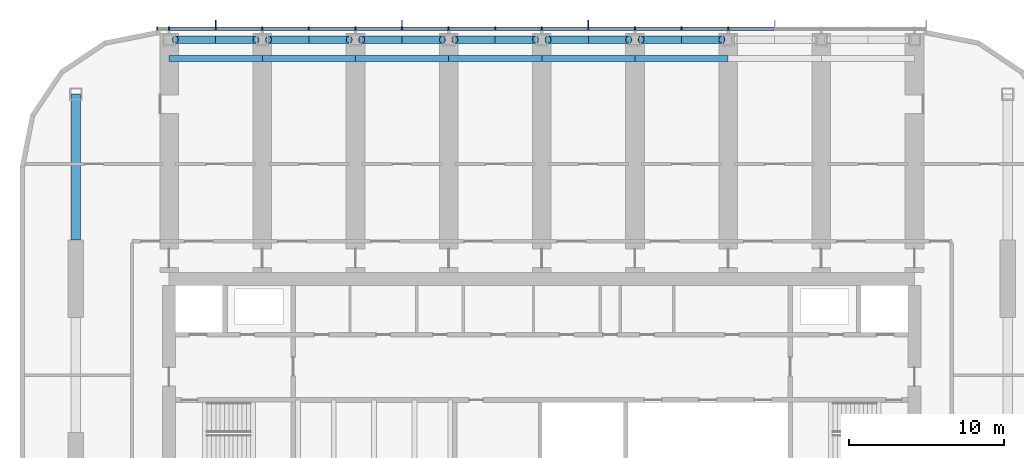
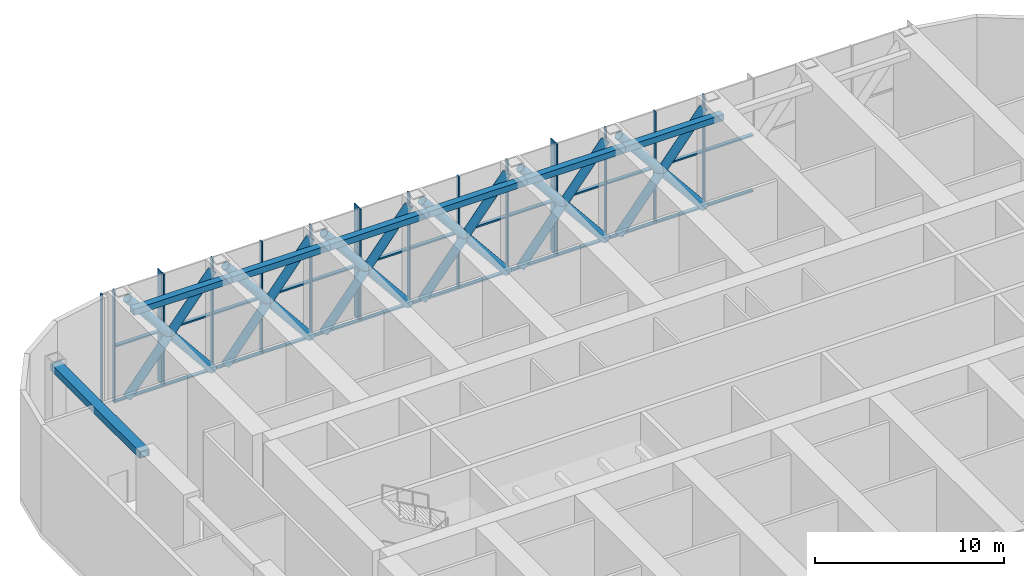
# One storey, part 4 of 22: 55 members, 7 beams, 1 element without a shape of its own.
"""IFC4 building model written with IfcOpenShell, lengths in metres."""

from ifc_helpers import new_model, si_unit, direction, frame, origin, origin_2d, place, context, subcontext, project, spatial, rectangle, hollow_rectangle, hollow_circle, extrude, material, material_profile, profile_set, type_object, element, aggregate, save


model = new_model("IFC4")

# Units and contexts
model_context = context("Model", 3, precision=1e-05, world=origin(), true_north=direction((0.0, 1.0)))
body_context = subcontext(model_context, "Body", "Model", "MODEL_VIEW")
ifc_project = project(units=[si_unit("LENGTHUNIT", "METRE"), si_unit("AREAUNIT", "SQUARE_METRE"), si_unit("VOLUMEUNIT", "CUBIC_METRE"), si_unit("PLANEANGLEUNIT", "RADIAN"), si_unit("MASSUNIT", "GRAM", prefix="KILO")], contexts=[model_context])

# Site, building, storey
site_placement = place(None, origin())
site = spatial("IfcSite", under=ifc_project, at=site_placement, CompositionType="ELEMENT")
building_placement = place(site_placement, origin())
building = spatial("IfcBuilding", under=site, at=building_placement, Name="Orbita Commons", CompositionType="ELEMENT")
storey_placement = place(building_placement, frame((0.0, 0.0, 201.10009765625)))
storey = spatial("IfcBuildingStorey", under=building, at=storey_placement, Name="L50", CompositionType="ELEMENT", Elevation=201.10009765625)

# Members
ifc_material_1 = material(Name="Steel ASTM A992", Category="steel")
ifc_material_profile_1 = material_profile(ifc_material_1, hollow_circle(Radius=0.25390625, WallThickness=0.02001953125, at=origin_2d()), Name="CHS 508x20")
ifc_profile_set_1 = profile_set([ifc_material_profile_1], Name="Steel ASTM A992")
member_type_1 = type_object("IfcMemberType", Name="Belt truss diagonal CHS 508x20", PredefinedType="BRACE", material=ifc_profile_set_1)
for number, where, z_axis, x_axis, name in (
    (1, (18.39990234375, 53.60009765625, 0.25), (0.630612687458, 0.0, 0.776097699015), (0.0, 1.0, 0.0), "Belt truss diagonal E 4-5 rising L50"),
    (2, (18.39990234375, 53.60009765625, 6.64990234375), (0.630612687458, 0.0, -0.776097699015), (0.0, 1.0, 0.0), "Belt truss diagonal E 4-5 falling L50"),
    (3, (24.39990234375, 53.60009765625, 0.25), (0.630612687458, 0.0, 0.776097699015), (0.0, 1.0, 0.0), "Belt truss diagonal E 5-6 rising L50"),
    (4, (24.39990234375, 53.60009765625, 6.64990234375), (0.630612687458, 0.0, -0.776097699015), (0.0, 1.0, 0.0), "Belt truss diagonal E 5-6 falling L50"),
    (5, (30.39990234375, 53.60009765625, 0.25), (0.630612687458, 0.0, 0.776097699015), (0.0, 1.0, 0.0), "Belt truss diagonal E 6-7 rising L50"),
    (6, (30.39990234375, 53.60009765625, 6.64990234375), (0.630612687458, 0.0, -0.776097699015), (0.0, 1.0, 0.0), "Belt truss diagonal E 6-7 falling L50"),
    (7, (36.39990234375, 53.60009765625, 0.25), (0.630612687458, 0.0, 0.776097699015), (0.0, 1.0, 0.0), "Belt truss diagonal E 7-8 rising L50"),
    (8, (36.39990234375, 53.60009765625, 6.64990234375), (0.630612687458, 0.0, -0.776097699015), (0.0, 1.0, 0.0), "Belt truss diagonal E 7-8 falling L50"),
    (9, (42.39990234375, 53.60009765625, 0.25), (0.630612687458, 0.0, 0.776097699015), (0.0, 1.0, 0.0), "Belt truss diagonal E 8-9 rising L50"),
    (10, (42.39990234375, 53.60009765625, 6.64990234375), (0.630612687458, 0.0, -0.776097699015), (0.0, 1.0, 0.0), "Belt truss diagonal E 8-9 falling L50"),
    (11, (48.39990234375, 53.60009765625, 0.25), (0.630612687458, 0.0, 0.776097699015), (0.0, 1.0, 0.0), "Belt truss diagonal E 9-10 rising L50"),
    (12, (48.39990234375, 53.60009765625, 6.64990234375), (0.630612687458, 0.0, -0.776097699015), (0.0, 1.0, 0.0), "Belt truss diagonal E 9-10 falling L50"),
):
    element("IfcMember", number, at=place(storey_placement, frame(where, z_axis=z_axis, x_axis=x_axis)), inside=storey, type_object=member_type_1, Name=name, PredefinedType="BRACE", context=body_context, shape_type="SweptSolid", body=[
        extrude(hollow_circle(Radius=0.25390625, WallThickness=0.02001953125, at=origin_2d()), origin(), (0.0, 0.0, 1.0), 8.246337890625),
    ])

# Curtain wall, members
ifc_material_2 = material(Name="Anodised aluminium frame, pale silver", Category="aluminium")
curtain_wall_type = type_object("IfcCurtainWallType", Name="Louvred curtain wall CW-V", PredefinedType="NOTDEFINED", material=ifc_material_2)
curtain_wall_placement = place(storey_placement, origin())
curtain_wall = element("IfcCurtainWall", 13, at=curtain_wall_placement, inside=storey, type_object=curtain_wall_type, Name="Curtain wall north L50", PredefinedType="NOTDEFINED")
ifc_material_3 = material(Name="Anodised aluminium, pale silver", Category="aluminium")
ifc_material_profile_2 = material_profile(ifc_material_3, rectangle(XDim=0.080078125, YDim=0.219970703125, at=origin_2d()), Name="AL 80x220")
ifc_profile_set_2 = profile_set([ifc_material_profile_2], Name="Anodised aluminium, pale silver")
member_type_2 = type_object("IfcMemberType", Name="Curtain wall mullion 80x220", PredefinedType="MULLION", material=ifc_profile_set_2)
member_1_placement = place(storey_placement, frame((54.0, 54.31005859375, -0.35009765625), z_axis=(0.0, 0.0, 1.0), x_axis=(-1.0, 0.0, 0.0)))
member_1 = element("IfcMember", 14, at=member_1_placement, type_object=member_type_2, Name="Mullion 6 CW-L50-N", PredefinedType="MULLION", context=body_context, shape_type="SweptSolid", body=[
    extrude(rectangle(XDim=0.080078125, YDim=0.219970703125, at=origin_2d()), origin(), (0.0, 0.0, 1.0), 7.25),
])
member_2_placement = place(storey_placement, frame((51.0, 54.31005859375, -0.35009765625), z_axis=(0.0, 0.0, 1.0), x_axis=(-1.0, 0.0, 0.0)))
member_2 = element("IfcMember", 15, at=member_2_placement, type_object=member_type_2, Name="Mullion 7 CW-L50-N", PredefinedType="MULLION", context=body_context, shape_type="SweptSolid", body=[
    extrude(rectangle(XDim=0.080078125, YDim=0.219970703125, at=origin_2d()), origin(), (0.0, 0.0, 1.0), 7.25),
])
member_3_placement = place(storey_placement, frame((48.0, 54.31005859375, -0.35009765625), z_axis=(0.0, 0.0, 1.0), x_axis=(-1.0, 0.0, 0.0)))
member_3 = element("IfcMember", 16, at=member_3_placement, type_object=member_type_2, Name="Mullion 8 CW-L50-N", PredefinedType="MULLION", context=body_context, shape_type="SweptSolid", body=[
    extrude(rectangle(XDim=0.080078125, YDim=0.219970703125, at=origin_2d()), origin(), (0.0, 0.0, 1.0), 7.25),
])
member_4_placement = place(storey_placement, frame((45.0, 54.31005859375, -0.35009765625), z_axis=(0.0, 0.0, 1.0), x_axis=(-1.0, 0.0, 0.0)))
member_4 = element("IfcMember", 17, at=member_4_placement, type_object=member_type_2, Name="Mullion 9 CW-L50-N", PredefinedType="MULLION", context=body_context, shape_type="SweptSolid", body=[
    extrude(rectangle(XDim=0.080078125, YDim=0.219970703125, at=origin_2d()), origin(), (0.0, 0.0, 1.0), 7.25),
])
member_5_placement = place(storey_placement, frame((42.0, 54.31005859375, -0.35009765625), z_axis=(0.0, 0.0, 1.0), x_axis=(-1.0, 0.0, 0.0)))
member_5 = element("IfcMember", 18, at=member_5_placement, type_object=member_type_2, Name="Mullion 10 CW-L50-N", PredefinedType="MULLION", context=body_context, shape_type="SweptSolid", body=[
    extrude(rectangle(XDim=0.080078125, YDim=0.219970703125, at=origin_2d()), origin(), (0.0, 0.0, 1.0), 7.25),
])
member_6_placement = place(storey_placement, frame((39.0, 54.31005859375, -0.35009765625), z_axis=(0.0, 0.0, 1.0), x_axis=(-1.0, 0.0, 0.0)))
member_6 = element("IfcMember", 19, at=member_6_placement, type_object=member_type_2, Name="Mullion 11 CW-L50-N", PredefinedType="MULLION", context=body_context, shape_type="SweptSolid", body=[
    extrude(rectangle(XDim=0.080078125, YDim=0.219970703125, at=origin_2d()), origin(), (0.0, 0.0, 1.0), 7.25),
])
member_7_placement = place(storey_placement, frame((36.0, 54.31005859375, -0.35009765625), z_axis=(0.0, 0.0, 1.0), x_axis=(-1.0, 0.0, 0.0)))
member_7 = element("IfcMember", 20, at=member_7_placement, type_object=member_type_2, Name="Mullion 12 CW-L50-N", PredefinedType="MULLION", context=body_context, shape_type="SweptSolid", body=[
    extrude(rectangle(XDim=0.080078125, YDim=0.219970703125, at=origin_2d()), origin(), (0.0, 0.0, 1.0), 7.25),
])
member_8_placement = place(storey_placement, frame((33.0, 54.31005859375, -0.35009765625), z_axis=(0.0, 0.0, 1.0), x_axis=(-1.0, 0.0, 0.0)))
member_8 = element("IfcMember", 21, at=member_8_placement, type_object=member_type_2, Name="Mullion 13 CW-L50-N", PredefinedType="MULLION", context=body_context, shape_type="SweptSolid", body=[
    extrude(rectangle(XDim=0.080078125, YDim=0.219970703125, at=origin_2d()), origin(), (0.0, 0.0, 1.0), 7.25),
])
member_9_placement = place(storey_placement, frame((30.0, 54.31005859375, -0.35009765625), z_axis=(0.0, 0.0, 1.0), x_axis=(-1.0, 0.0, 0.0)))
member_9 = element("IfcMember", 22, at=member_9_placement, type_object=member_type_2, Name="Mullion 14 CW-L50-N", PredefinedType="MULLION", context=body_context, shape_type="SweptSolid", body=[
    extrude(rectangle(XDim=0.080078125, YDim=0.219970703125, at=origin_2d()), origin(), (0.0, 0.0, 1.0), 7.25),
])
member_10_placement = place(storey_placement, frame((27.0, 54.31005859375, -0.35009765625), z_axis=(0.0, 0.0, 1.0), x_axis=(-1.0, 0.0, 0.0)))
member_10 = element("IfcMember", 23, at=member_10_placement, type_object=member_type_2, Name="Mullion 15 CW-L50-N", PredefinedType="MULLION", context=body_context, shape_type="SweptSolid", body=[
    extrude(rectangle(XDim=0.080078125, YDim=0.219970703125, at=origin_2d()), origin(), (0.0, 0.0, 1.0), 7.25),
])
member_11_placement = place(storey_placement, frame((24.0, 54.31005859375, -0.35009765625), z_axis=(0.0, 0.0, 1.0), x_axis=(-1.0, 0.0, 0.0)))
member_11 = element("IfcMember", 24, at=member_11_placement, type_object=member_type_2, Name="Mullion 16 CW-L50-N", PredefinedType="MULLION", context=body_context, shape_type="SweptSolid", body=[
    extrude(rectangle(XDim=0.080078125, YDim=0.219970703125, at=origin_2d()), origin(), (0.0, 0.0, 1.0), 7.25),
])
member_12_placement = place(storey_placement, frame((21.0, 54.31005859375, -0.35009765625), z_axis=(0.0, 0.0, 1.0), x_axis=(-1.0, 0.0, 0.0)))
member_12 = element("IfcMember", 25, at=member_12_placement, type_object=member_type_2, Name="Mullion 17 CW-L50-N", PredefinedType="MULLION", context=body_context, shape_type="SweptSolid", body=[
    extrude(rectangle(XDim=0.080078125, YDim=0.219970703125, at=origin_2d()), origin(), (0.0, 0.0, 1.0), 7.25),
])
member_13_placement = place(storey_placement, frame((18.0, 54.31005859375, -0.35009765625), z_axis=(0.0, 0.0, 1.0), x_axis=(-1.0, 0.0, 0.0)))
member_13 = element("IfcMember", 26, at=member_13_placement, type_object=member_type_2, Name="Mullion 18 CW-L50-N", PredefinedType="MULLION", context=body_context, shape_type="SweptSolid", body=[
    extrude(rectangle(XDim=0.080078125, YDim=0.219970703125, at=origin_2d()), origin(), (0.0, 0.0, 1.0), 7.25),
])
member_14_placement = place(storey_placement, frame((17.239990234375, 54.31005859375, -0.35009765625), z_axis=(0.0, 0.0, 1.0), x_axis=(-1.0, 0.0, 0.0)))
member_14 = element("IfcMember", 27, at=member_14_placement, type_object=member_type_2, Name="Mullion 19 CW-L50-N", PredefinedType="MULLION", context=body_context, shape_type="SweptSolid", body=[
    extrude(rectangle(XDim=0.080078125, YDim=0.219970703125, at=origin_2d()), origin(), (0.0, 0.0, 1.0), 7.25),
])
ifc_material_4 = material(Name="Anodised aluminium, pale silver", Category="aluminium")
ifc_material_profile_3 = material_profile(ifc_material_4, rectangle(XDim=0.219970703125, YDim=0.10009765625, at=origin_2d()), Name="AL 220x100")
ifc_profile_set_3 = profile_set([ifc_material_profile_3], Name="Anodised aluminium, pale silver")
member_type_3 = type_object("IfcMemberType", Name="Curtain wall stack transom 220x100", PredefinedType="USERDEFINED", material=ifc_profile_set_3)
member_15_placement = place(storey_placement, frame((56.9599609375, 54.31005859375, -0.300048828125), z_axis=(-1.0, 0.0, 0.0), x_axis=(0.0, -1.0, 0.0)))
member_15 = element("IfcMember", 28, at=member_15_placement, type_object=member_type_3, Name="Transom 5.1 CW-L50-N", ObjectType="TRANSOM", PredefinedType="USERDEFINED", context=body_context, shape_type="SweptSolid", body=[
    extrude(rectangle(XDim=0.219970703125, YDim=0.10009765625, at=origin_2d()), origin(), (0.0, 0.0, 1.0), 2.919921875),
])
member_16_placement = place(storey_placement, frame((56.9599609375, 54.31005859375, 3.27490234375), z_axis=(-1.0, 0.0, 0.0), x_axis=(0.0, -1.0, 0.0)))
member_16 = element("IfcMember", 29, at=member_16_placement, type_object=member_type_3, Name="Transom 5.2 CW-L50-N", ObjectType="TRANSOM", PredefinedType="USERDEFINED", context=body_context, shape_type="SweptSolid", body=[
    extrude(rectangle(XDim=0.219970703125, YDim=0.10009765625, at=origin_2d()), origin(), (0.0, 0.0, 1.0), 2.919921875),
])
member_17_placement = place(storey_placement, frame((53.9599609375, 54.31005859375, -0.300048828125), z_axis=(-1.0, 0.0, 0.0), x_axis=(0.0, -1.0, 0.0)))
member_17 = element("IfcMember", 30, at=member_17_placement, type_object=member_type_3, Name="Transom 6.1 CW-L50-N", ObjectType="TRANSOM", PredefinedType="USERDEFINED", context=body_context, shape_type="SweptSolid", body=[
    extrude(rectangle(XDim=0.219970703125, YDim=0.10009765625, at=origin_2d()), origin(), (0.0, 0.0, 1.0), 2.919921875),
])
member_18_placement = place(storey_placement, frame((53.9599609375, 54.31005859375, 3.27490234375), z_axis=(-1.0, 0.0, 0.0), x_axis=(0.0, -1.0, 0.0)))
member_18 = element("IfcMember", 31, at=member_18_placement, type_object=member_type_3, Name="Transom 6.2 CW-L50-N", ObjectType="TRANSOM", PredefinedType="USERDEFINED", context=body_context, shape_type="SweptSolid", body=[
    extrude(rectangle(XDim=0.219970703125, YDim=0.10009765625, at=origin_2d()), origin(), (0.0, 0.0, 1.0), 2.919921875),
])
member_19_placement = place(storey_placement, frame((50.9599609375, 54.31005859375, -0.300048828125), z_axis=(-1.0, 0.0, 0.0), x_axis=(0.0, -1.0, 0.0)))
member_19 = element("IfcMember", 32, at=member_19_placement, type_object=member_type_3, Name="Transom 7.1 CW-L50-N", ObjectType="TRANSOM", PredefinedType="USERDEFINED", context=body_context, shape_type="SweptSolid", body=[
    extrude(rectangle(XDim=0.219970703125, YDim=0.10009765625, at=origin_2d()), origin(), (0.0, 0.0, 1.0), 2.919921875),
])
member_20_placement = place(storey_placement, frame((50.9599609375, 54.31005859375, 3.27490234375), z_axis=(-1.0, 0.0, 0.0), x_axis=(0.0, -1.0, 0.0)))
member_20 = element("IfcMember", 33, at=member_20_placement, type_object=member_type_3, Name="Transom 7.2 CW-L50-N", ObjectType="TRANSOM", PredefinedType="USERDEFINED", context=body_context, shape_type="SweptSolid", body=[
    extrude(rectangle(XDim=0.219970703125, YDim=0.10009765625, at=origin_2d()), origin(), (0.0, 0.0, 1.0), 2.919921875),
])
member_21_placement = place(storey_placement, frame((47.9599609375, 54.31005859375, -0.300048828125), z_axis=(-1.0, 0.0, 0.0), x_axis=(0.0, -1.0, 0.0)))
member_21 = element("IfcMember", 34, at=member_21_placement, type_object=member_type_3, Name="Transom 8.1 CW-L50-N", ObjectType="TRANSOM", PredefinedType="USERDEFINED", context=body_context, shape_type="SweptSolid", body=[
    extrude(rectangle(XDim=0.219970703125, YDim=0.10009765625, at=origin_2d()), origin(), (0.0, 0.0, 1.0), 2.919921875),
])
member_22_placement = place(storey_placement, frame((47.9599609375, 54.31005859375, 3.27490234375), z_axis=(-1.0, 0.0, 0.0), x_axis=(0.0, -1.0, 0.0)))
member_22 = element("IfcMember", 35, at=member_22_placement, type_object=member_type_3, Name="Transom 8.2 CW-L50-N", ObjectType="TRANSOM", PredefinedType="USERDEFINED", context=body_context, shape_type="SweptSolid", body=[
    extrude(rectangle(XDim=0.219970703125, YDim=0.10009765625, at=origin_2d()), origin(), (0.0, 0.0, 1.0), 2.919921875),
])
member_23_placement = place(storey_placement, frame((44.9599609375, 54.31005859375, -0.300048828125), z_axis=(-1.0, 0.0, 0.0), x_axis=(0.0, -1.0, 0.0)))
member_23 = element("IfcMember", 36, at=member_23_placement, type_object=member_type_3, Name="Transom 9.1 CW-L50-N", ObjectType="TRANSOM", PredefinedType="USERDEFINED", context=body_context, shape_type="SweptSolid", body=[
    extrude(rectangle(XDim=0.219970703125, YDim=0.10009765625, at=origin_2d()), origin(), (0.0, 0.0, 1.0), 2.919921875),
])
member_24_placement = place(storey_placement, frame((44.9599609375, 54.31005859375, 3.27490234375), z_axis=(-1.0, 0.0, 0.0), x_axis=(0.0, -1.0, 0.0)))
member_24 = element("IfcMember", 37, at=member_24_placement, type_object=member_type_3, Name="Transom 9.2 CW-L50-N", ObjectType="TRANSOM", PredefinedType="USERDEFINED", context=body_context, shape_type="SweptSolid", body=[
    extrude(rectangle(XDim=0.219970703125, YDim=0.10009765625, at=origin_2d()), origin(), (0.0, 0.0, 1.0), 2.919921875),
])
member_25_placement = place(storey_placement, frame((41.9599609375, 54.31005859375, -0.300048828125), z_axis=(-1.0, 0.0, 0.0), x_axis=(0.0, -1.0, 0.0)))
member_25 = element("IfcMember", 38, at=member_25_placement, type_object=member_type_3, Name="Transom 10.1 CW-L50-N", ObjectType="TRANSOM", PredefinedType="USERDEFINED", context=body_context, shape_type="SweptSolid", body=[
    extrude(rectangle(XDim=0.219970703125, YDim=0.10009765625, at=origin_2d()), origin(), (0.0, 0.0, 1.0), 2.919921875),
])
member_26_placement = place(storey_placement, frame((41.9599609375, 54.31005859375, 3.27490234375), z_axis=(-1.0, 0.0, 0.0), x_axis=(0.0, -1.0, 0.0)))
member_26 = element("IfcMember", 39, at=member_26_placement, type_object=member_type_3, Name="Transom 10.2 CW-L50-N", ObjectType="TRANSOM", PredefinedType="USERDEFINED", context=body_context, shape_type="SweptSolid", body=[
    extrude(rectangle(XDim=0.219970703125, YDim=0.10009765625, at=origin_2d()), origin(), (0.0, 0.0, 1.0), 2.919921875),
])
member_27_placement = place(storey_placement, frame((38.9599609375, 54.31005859375, -0.300048828125), z_axis=(-1.0, 0.0, 0.0), x_axis=(0.0, -1.0, 0.0)))
member_27 = element("IfcMember", 40, at=member_27_placement, type_object=member_type_3, Name="Transom 11.1 CW-L50-N", ObjectType="TRANSOM", PredefinedType="USERDEFINED", context=body_context, shape_type="SweptSolid", body=[
    extrude(rectangle(XDim=0.219970703125, YDim=0.10009765625, at=origin_2d()), origin(), (0.0, 0.0, 1.0), 2.919921875),
])
member_28_placement = place(storey_placement, frame((38.9599609375, 54.31005859375, 3.27490234375), z_axis=(-1.0, 0.0, 0.0), x_axis=(0.0, -1.0, 0.0)))
member_28 = element("IfcMember", 41, at=member_28_placement, type_object=member_type_3, Name="Transom 11.2 CW-L50-N", ObjectType="TRANSOM", PredefinedType="USERDEFINED", context=body_context, shape_type="SweptSolid", body=[
    extrude(rectangle(XDim=0.219970703125, YDim=0.10009765625, at=origin_2d()), origin(), (0.0, 0.0, 1.0), 2.919921875),
])
member_29_placement = place(storey_placement, frame((35.9599609375, 54.31005859375, -0.300048828125), z_axis=(-1.0, 0.0, 0.0), x_axis=(0.0, -1.0, 0.0)))
member_29 = element("IfcMember", 42, at=member_29_placement, type_object=member_type_3, Name="Transom 12.1 CW-L50-N", ObjectType="TRANSOM", PredefinedType="USERDEFINED", context=body_context, shape_type="SweptSolid", body=[
    extrude(rectangle(XDim=0.219970703125, YDim=0.10009765625, at=origin_2d()), origin(), (0.0, 0.0, 1.0), 2.919921875),
])
member_30_placement = place(storey_placement, frame((35.9599609375, 54.31005859375, 3.27490234375), z_axis=(-1.0, 0.0, 0.0), x_axis=(0.0, -1.0, 0.0)))
member_30 = element("IfcMember", 43, at=member_30_placement, type_object=member_type_3, Name="Transom 12.2 CW-L50-N", ObjectType="TRANSOM", PredefinedType="USERDEFINED", context=body_context, shape_type="SweptSolid", body=[
    extrude(rectangle(XDim=0.219970703125, YDim=0.10009765625, at=origin_2d()), origin(), (0.0, 0.0, 1.0), 2.919921875),
])
member_31_placement = place(storey_placement, frame((32.9599609375, 54.31005859375, -0.300048828125), z_axis=(-1.0, 0.0, 0.0), x_axis=(0.0, -1.0, 0.0)))
member_31 = element("IfcMember", 44, at=member_31_placement, type_object=member_type_3, Name="Transom 13.1 CW-L50-N", ObjectType="TRANSOM", PredefinedType="USERDEFINED", context=body_context, shape_type="SweptSolid", body=[
    extrude(rectangle(XDim=0.219970703125, YDim=0.10009765625, at=origin_2d()), origin(), (0.0, 0.0, 1.0), 2.919921875),
])
member_32_placement = place(storey_placement, frame((32.9599609375, 54.31005859375, 3.27490234375), z_axis=(-1.0, 0.0, 0.0), x_axis=(0.0, -1.0, 0.0)))
member_32 = element("IfcMember", 45, at=member_32_placement, type_object=member_type_3, Name="Transom 13.2 CW-L50-N", ObjectType="TRANSOM", PredefinedType="USERDEFINED", context=body_context, shape_type="SweptSolid", body=[
    extrude(rectangle(XDim=0.219970703125, YDim=0.10009765625, at=origin_2d()), origin(), (0.0, 0.0, 1.0), 2.919921875),
])
member_33_placement = place(storey_placement, frame((29.9599609375, 54.31005859375, -0.300048828125), z_axis=(-1.0, 0.0, 0.0), x_axis=(0.0, -1.0, 0.0)))
member_33 = element("IfcMember", 46, at=member_33_placement, type_object=member_type_3, Name="Transom 14.1 CW-L50-N", ObjectType="TRANSOM", PredefinedType="USERDEFINED", context=body_context, shape_type="SweptSolid", body=[
    extrude(rectangle(XDim=0.219970703125, YDim=0.10009765625, at=origin_2d()), origin(), (0.0, 0.0, 1.0), 2.919921875),
])
member_34_placement = place(storey_placement, frame((29.9599609375, 54.31005859375, 3.27490234375), z_axis=(-1.0, 0.0, 0.0), x_axis=(0.0, -1.0, 0.0)))
member_34 = element("IfcMember", 47, at=member_34_placement, type_object=member_type_3, Name="Transom 14.2 CW-L50-N", ObjectType="TRANSOM", PredefinedType="USERDEFINED", context=body_context, shape_type="SweptSolid", body=[
    extrude(rectangle(XDim=0.219970703125, YDim=0.10009765625, at=origin_2d()), origin(), (0.0, 0.0, 1.0), 2.919921875),
])
member_35_placement = place(storey_placement, frame((26.9599609375, 54.31005859375, -0.300048828125), z_axis=(-1.0, 0.0, 0.0), x_axis=(0.0, -1.0, 0.0)))
member_35 = element("IfcMember", 48, at=member_35_placement, type_object=member_type_3, Name="Transom 15.1 CW-L50-N", ObjectType="TRANSOM", PredefinedType="USERDEFINED", context=body_context, shape_type="SweptSolid", body=[
    extrude(rectangle(XDim=0.219970703125, YDim=0.10009765625, at=origin_2d()), origin(), (0.0, 0.0, 1.0), 2.919921875),
])
member_36_placement = place(storey_placement, frame((26.9599609375, 54.31005859375, 3.27490234375), z_axis=(-1.0, 0.0, 0.0), x_axis=(0.0, -1.0, 0.0)))
member_36 = element("IfcMember", 49, at=member_36_placement, type_object=member_type_3, Name="Transom 15.2 CW-L50-N", ObjectType="TRANSOM", PredefinedType="USERDEFINED", context=body_context, shape_type="SweptSolid", body=[
    extrude(rectangle(XDim=0.219970703125, YDim=0.10009765625, at=origin_2d()), origin(), (0.0, 0.0, 1.0), 2.919921875),
])
member_37_placement = place(storey_placement, frame((23.9599609375, 54.31005859375, -0.300048828125), z_axis=(-1.0, 0.0, 0.0), x_axis=(0.0, -1.0, 0.0)))
member_37 = element("IfcMember", 50, at=member_37_placement, type_object=member_type_3, Name="Transom 16.1 CW-L50-N", ObjectType="TRANSOM", PredefinedType="USERDEFINED", context=body_context, shape_type="SweptSolid", body=[
    extrude(rectangle(XDim=0.219970703125, YDim=0.10009765625, at=origin_2d()), origin(), (0.0, 0.0, 1.0), 2.919921875),
])
member_38_placement = place(storey_placement, frame((23.9599609375, 54.31005859375, 3.27490234375), z_axis=(-1.0, 0.0, 0.0), x_axis=(0.0, -1.0, 0.0)))
member_38 = element("IfcMember", 51, at=member_38_placement, type_object=member_type_3, Name="Transom 16.2 CW-L50-N", ObjectType="TRANSOM", PredefinedType="USERDEFINED", context=body_context, shape_type="SweptSolid", body=[
    extrude(rectangle(XDim=0.219970703125, YDim=0.10009765625, at=origin_2d()), origin(), (0.0, 0.0, 1.0), 2.919921875),
])
member_39_placement = place(storey_placement, frame((20.9599609375, 54.31005859375, -0.300048828125), z_axis=(-1.0, 0.0, 0.0), x_axis=(0.0, -1.0, 0.0)))
member_39 = element("IfcMember", 52, at=member_39_placement, type_object=member_type_3, Name="Transom 17.1 CW-L50-N", ObjectType="TRANSOM", PredefinedType="USERDEFINED", context=body_context, shape_type="SweptSolid", body=[
    extrude(rectangle(XDim=0.219970703125, YDim=0.10009765625, at=origin_2d()), origin(), (0.0, 0.0, 1.0), 2.919921875),
])
member_40_placement = place(storey_placement, frame((20.9599609375, 54.31005859375, 3.27490234375), z_axis=(-1.0, 0.0, 0.0), x_axis=(0.0, -1.0, 0.0)))
member_40 = element("IfcMember", 53, at=member_40_placement, type_object=member_type_3, Name="Transom 17.2 CW-L50-N", ObjectType="TRANSOM", PredefinedType="USERDEFINED", context=body_context, shape_type="SweptSolid", body=[
    extrude(rectangle(XDim=0.219970703125, YDim=0.10009765625, at=origin_2d()), origin(), (0.0, 0.0, 1.0), 2.919921875),
])

# Beams
ifc_material_5 = material(Name="Steel ASTM A572 Gr 50 welded plate", Category="steel")
ifc_material_profile_4 = material_profile(ifc_material_5, hollow_rectangle(XDim=0.60009765625, YDim=0.449951171875, WallThickness=0.06005859375, at=origin_2d()), Name="BOX 450x600x60")
ifc_profile_set_4 = profile_set([ifc_material_profile_4], Name="Steel ASTM A572 Gr 50 welded plate")
beam_type_1 = type_object("IfcBeamType", Name="Steel end frame link BOX 450x600x60", PredefinedType="BEAM", material=ifc_profile_set_4)
beam_placement = place(storey_placement, frame((12.0, 40.699951171875, 6.6748046875), z_axis=(0.0, 1.0, 0.0), x_axis=(-1.0, 0.0, 0.0)))
element("IfcBeam", 54, at=beam_placement, inside=storey, type_object=beam_type_1, Name="End frame beam 3 D-E L50", PredefinedType="BEAM", context=body_context, shape_type="SweptSolid", body=[
    extrude(hollow_rectangle(XDim=0.60009765625, YDim=0.449951171875, WallThickness=0.06005859375, at=origin_2d()), origin(), (0.0, 0.0, 1.0), 9.400146484375),
])
ifc_material_6 = material(Name="Steel ASTM A572 Gr 50 welded plate", Category="steel")
ifc_material_profile_5 = material_profile(ifc_material_6, hollow_rectangle(XDim=0.39990234375, YDim=0.39990234375, WallThickness=0.0400390625, at=origin_2d()), Name="BOX 400x400x40")
ifc_profile_set_5 = profile_set([ifc_material_profile_5], Name="Steel ASTM A572 Gr 50 welded plate")
beam_type_2 = type_object("IfcBeamType", Name="Steel spandrel BOX 400x400x40", PredefinedType="SPANDREL", material=ifc_profile_set_5)
for number, where, z_axis, x_axis, name in (
    (55, (18.0, 52.39990234375, 6.699951171875), (1.0, 0.0, 0.0), (0.0, 1.0, 0.0), "Spandrel beam E 4-5 L50"),
    (56, (24.0, 52.39990234375, 6.699951171875), (1.0, 0.0, 0.0), (0.0, 1.0, 0.0), "Spandrel beam E 5-6 L50"),
    (57, (30.0, 52.39990234375, 6.699951171875), (1.0, 0.0, 0.0), (0.0, 1.0, 0.0), "Spandrel beam E 6-7 L50"),
    (58, (36.0, 52.39990234375, 6.699951171875), (1.0, 0.0, 0.0), (0.0, 1.0, 0.0), "Spandrel beam E 7-8 L50"),
    (59, (42.0, 52.39990234375, 6.699951171875), (1.0, 0.0, 0.0), (0.0, 1.0, 0.0), "Spandrel beam E 8-9 L50"),
    (60, (48.0, 52.39990234375, 6.699951171875), (1.0, 0.0, 0.0), (0.0, 1.0, 0.0), "Spandrel beam E 9-10 L50"),
):
    element("IfcBeam", number, at=place(storey_placement, frame(where, z_axis=z_axis, x_axis=x_axis)), inside=storey, type_object=beam_type_2, Name=name, PredefinedType="SPANDREL", context=body_context, shape_type="SweptSolid", body=[
        extrude(hollow_rectangle(XDim=0.39990234375, YDim=0.39990234375, WallThickness=0.0400390625, at=origin_2d()), origin(), (0.0, 0.0, 1.0), 6.0),
    ])

# Member
ifc_material_7 = material(Name="Anodised aluminium, pale silver", Category="aluminium")
ifc_material_profile_6 = material_profile(ifc_material_7, rectangle(XDim=0.06005859375, YDim=0.449951171875, at=origin_2d()), Name="FIN 60x450")
ifc_profile_set_6 = profile_set([ifc_material_profile_6], Name="Anodised aluminium, pale silver")
member_type_4 = type_object("IfcMemberType", Name="Vertical fin 60x450 pale aluminium", PredefinedType="USERDEFINED", material=ifc_profile_set_6)
member_41_placement = place(storey_placement, frame((45.0, 54.64501953125, -0.35009765625), z_axis=(0.0, 0.0, 1.0), x_axis=(-1.0, 0.0, 0.0)))
member_41 = element("IfcMember", 61, at=member_41_placement, type_object=member_type_4, Name="Fin 9 CW-L50-N", ObjectType="FIN", PredefinedType="USERDEFINED", context=body_context, shape_type="SweptSolid", body=[
    extrude(rectangle(XDim=0.06005859375, YDim=0.449951171875, at=origin_2d()), origin(), (0.0, 0.0, 1.0), 7.25),
])

member_42_placement = place(storey_placement, frame((33.0, 54.64501953125, -0.35009765625), z_axis=(0.0, 0.0, 1.0), x_axis=(-1.0, 0.0, 0.0)))
member_42 = element("IfcMember", 62, at=member_42_placement, type_object=member_type_4, Name="Fin 13 CW-L50-N", ObjectType="FIN", PredefinedType="USERDEFINED", context=body_context, shape_type="SweptSolid", body=[
    extrude(rectangle(XDim=0.06005859375, YDim=0.449951171875, at=origin_2d()), origin(), (0.0, 0.0, 1.0), 7.25),
])

member_43_placement = place(storey_placement, frame((21.0, 54.64501953125, -0.35009765625), z_axis=(0.0, 0.0, 1.0), x_axis=(-1.0, 0.0, 0.0)))
member_43 = element("IfcMember", 63, at=member_43_placement, type_object=member_type_4, Name="Fin 17 CW-L50-N", ObjectType="FIN", PredefinedType="USERDEFINED", context=body_context, shape_type="SweptSolid", body=[
    extrude(rectangle(XDim=0.06005859375, YDim=0.449951171875, at=origin_2d()), origin(), (0.0, 0.0, 1.0), 7.25),
])

aggregate(curtain_wall, [member_1, member_2, member_3, member_4, member_41, member_5, member_6, member_7, member_8, member_42, member_9, member_10, member_11, member_12, member_43, member_13, member_14, member_15, member_16, member_17, member_18, member_19, member_20, member_21, member_22, member_23, member_24, member_25, member_26, member_27, member_28, member_29, member_30, member_31, member_32, member_33, member_34, member_35, member_36, member_37, member_38, member_39, member_40])

save(model, "model.ifc")
